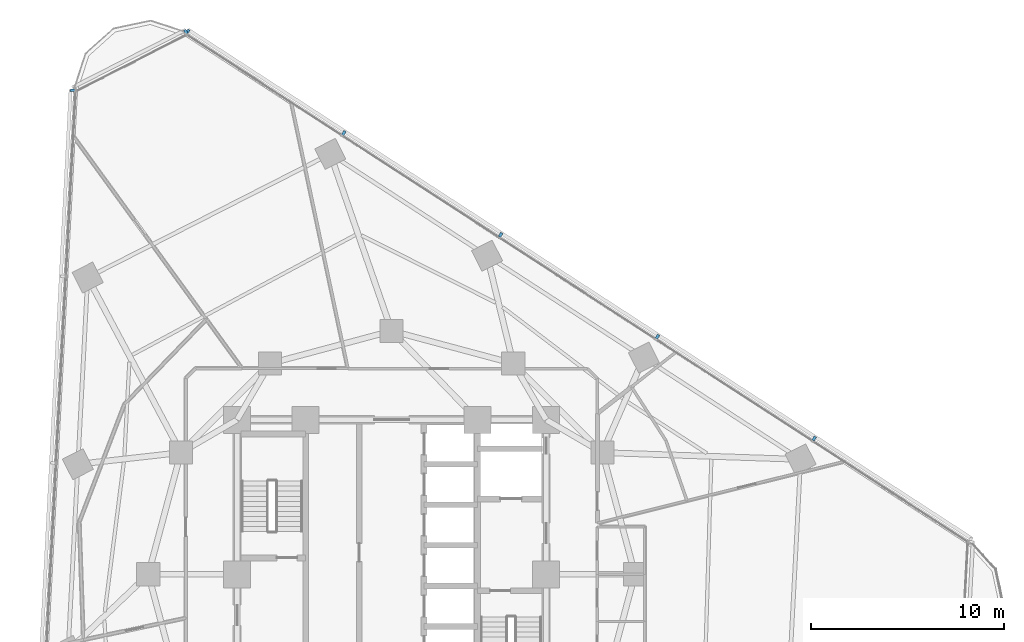
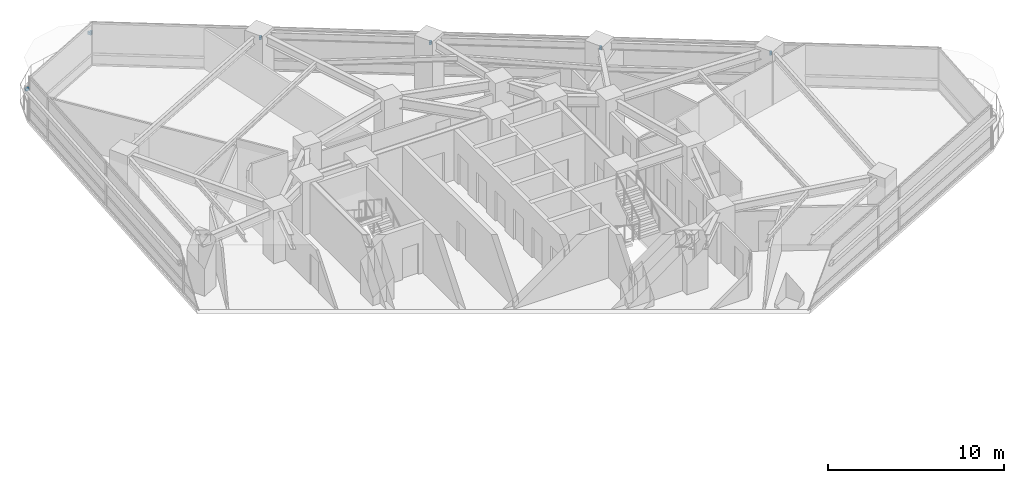
# One storey, part 11 of 14: 7 discrete accessories.
"""IFC4 building model written with IfcOpenShell, lengths in metres."""

import ifcopenshell
import ifcopenshell.guid

model = None  # the IFC model being written
_history = None  # IfcOwnerHistory: only IFC2X3 demands one
_inside = {}  # id of a spatial element -> (the spatial element, [elements in it])
_under = {}  # id of a project, library or spatial element -> (it, [spatial elements below it])
_declared = {}  # id of a project -> (the project, [libraries it declares])
_typed = {}  # id of a type object -> (the type object, [elements of that type])
_made_of = {}  # id of a material, layer set ... -> (it, [elements and type objects made of it])


def new_model(schema):
    """Start an empty IFC model of exactly this schema.

    Asked for "IFC4X3", IfcOpenShell would pick the latest addendum, in which some entities
    have other attributes; the version numbers below select the first issue.
    IFC2X3 requires an IfcOwnerHistory on every rooted entity: one is made here for all.
    """
    global model, _history
    if schema == "IFC4X3":
        model = ifcopenshell.file(schema_version=(4, 3, 0, 0))
    else:
        model = ifcopenshell.file(schema=schema)
    _inside.clear()
    _under.clear()
    _declared.clear()
    _typed.clear()
    _made_of.clear()
    _history = None
    if model.schema == "IFC2X3":
        org = make("IfcOrganization", Name="unknown")
        user = make(
            "IfcPersonAndOrganization",
            ThePerson=make("IfcPerson", FamilyName="unknown"),
            TheOrganization=org,
        )
        app = make(
            "IfcApplication",
            ApplicationDeveloper=org,
            Version="unknown",
            ApplicationFullName="unknown",
            ApplicationIdentifier="unknown",
        )
        _history = make(
            "IfcOwnerHistory",
            OwningUser=user,
            OwningApplication=app,
            ChangeAction="ADDED",
            CreationDate=0,
        )
    return model


def make(cls, **values):
    """One entity of the class cls with the attributes given. An attribute that is None is left unset."""
    return model.create_entity(
        cls, **{name: value for name, value in values.items() if value is not None}
    )


def rooted(cls, **values):
    """An entity with a GlobalId (a new one), such as an element, a storey or a relation."""
    return make(cls, GlobalId=ifcopenshell.guid.new(), OwnerHistory=_history, **values)


def si_unit(unit_type, name, prefix=None):
    """IfcSIUnit, for example si_unit("LENGTHUNIT", "METRE", prefix="MILLI")."""
    return make("IfcSIUnit", UnitType=unit_type, Prefix=prefix, Name=name)


def assignment(units):
    """IfcUnitAssignment: the units of a project."""
    return None if units is None else make("IfcUnitAssignment", Units=units)


def point(xyz):
    """IfcCartesianPoint."""
    return None if xyz is None else make("IfcCartesianPoint", Coordinates=xyz)


def direction(xyz):
    """IfcDirection."""
    return None if xyz is None else make("IfcDirection", DirectionRatios=xyz)


def frame(location, z_axis=None, x_axis=None):
    """IfcAxis2Placement3D, a coordinate frame: its origin and axes. An axis left out is left unset."""
    return make(
        "IfcAxis2Placement3D",
        Location=point(location),
        Axis=direction(z_axis),
        RefDirection=direction(x_axis),
    )


def frame_2d(location, x_axis=None):
    """IfcAxis2Placement2D, a coordinate frame in the plane: its origin and x axis."""
    return make(
        "IfcAxis2Placement2D", Location=point(location), RefDirection=direction(x_axis)
    )


def origin():
    """The frame at (0, 0, 0) with its axes left unset."""
    return frame((0.0, 0.0, 0.0))


def origin_2d():
    """The frame at (0, 0) in the plane with its x axis left unset."""
    return frame_2d((0.0, 0.0))


def place(relative_to, where):
    """IfcLocalPlacement: puts the frame where relative to a parent placement (None: the world)."""
    return make(
        "IfcLocalPlacement", PlacementRelTo=relative_to, RelativePlacement=where
    )


def context(
    kind, dimensions, precision=None, world=None, true_north=None, identifier=None
):
    """IfcGeometricRepresentationContext, for example the 3D "Model" context."""
    return make(
        "IfcGeometricRepresentationContext",
        ContextIdentifier=identifier,
        ContextType=kind,
        CoordinateSpaceDimension=dimensions,
        Precision=precision,
        WorldCoordinateSystem=world,
        TrueNorth=true_north,
    )


def subcontext(parent, identifier, kind, view, scale=None):
    """IfcGeometricRepresentationSubContext, for example "Body" below "Model"."""
    return make(
        "IfcGeometricRepresentationSubContext",
        ContextIdentifier=identifier,
        ContextType=kind,
        ParentContext=parent,
        TargetScale=scale,
        TargetView=view,
    )


def project(units=None, contexts=None):
    """IfcProject with its units and contexts."""
    return rooted(
        "IfcProject",
        Name="project",
        RepresentationContexts=contexts,
        UnitsInContext=assignment(units),
    )


def spatial(cls, under=None, at=None, **own):
    """A site, building, storey or space (cls), placed at a placement, below another one or the project."""
    s = rooted(cls, ObjectPlacement=at, **own)
    if under is not None:
        _under.setdefault(under.id(), (under, []))[1].append(s)
    return s


def profile(cls, at=None, kind="AREA", **sizes):
    """A parametric profile (cls). Its sizes go by their IFC names, for example OverallWidth=200.0."""
    return make(cls, ProfileType=kind, Position=at, **sizes)


def rectangle(**sizes):
    """IfcRectangleProfileDef."""
    return profile("IfcRectangleProfileDef", **sizes)


def extrude(swept, where, along, depth):
    """IfcExtrudedAreaSolid: the profile swept, set in the frame where, extruded along a direction by depth."""
    return make(
        "IfcExtrudedAreaSolid",
        SweptArea=swept,
        Position=where,
        ExtrudedDirection=direction(along),
        Depth=depth,
    )


def shape(context_of_items, identifier, shape_type, items):
    """IfcShapeRepresentation: the items that make up one representation, for example the "Body"."""
    return make(
        "IfcShapeRepresentation",
        ContextOfItems=context_of_items,
        RepresentationIdentifier=identifier,
        RepresentationType=shape_type,
        Items=items,
    )


def material(Name=None, Category=None):
    """IfcMaterial."""
    return make("IfcMaterial", Name=Name, Category=Category)


def made_of(thing, what):
    """Note that an element or type object is made of a material, layer set ...; save() writes the relation."""
    if what is not None:
        _made_of.setdefault(what.id(), (what, []))[1].append(thing)
    return thing


def type_object(cls, material=None, **own):
    """A type object (cls), such as IfcWallType, which elements share."""
    return made_of(rooted(cls, **own), material)


def element(
    cls,
    number,
    at=None,
    inside=None,
    cuts=None,
    type_object=None,
    material=None,
    context=None,
    identifier="Body",
    shape_type=None,
    held_by="IfcProductDefinitionShape",
    body=None,
    shapes=None,
    **own,
):
    """One element of the class cls, such as IfcWall. Its Tag is "e" and its number.

    at: its placement. inside: the storey or other place that contains it. cuts: it is an
    opening in that element (IfcRelVoidsElement). A single representation is given by context,
    identifier, shape_type and body (its items); several are given by shapes. held_by: the class
    of the entity that holds the representations. save() writes the other relations.
    """
    e = rooted(cls, Tag="e%d" % number, ObjectPlacement=at, **own)
    if body is not None:
        shapes = [shape(context, identifier, shape_type, body)]
    if shapes is not None:
        e.Representation = make(held_by, Representations=shapes)
    if inside is not None:
        _inside.setdefault(inside.id(), (inside, []))[1].append(e)
    if cuts is not None:
        rooted(
            "IfcRelVoidsElement", RelatingBuildingElement=cuts, RelatedOpeningElement=e
        )
    if type_object is not None:
        _typed.setdefault(type_object.id(), (type_object, []))[1].append(e)
    return made_of(e, material)


def aggregate(whole, parts):
    """IfcRelAggregates: a whole, such as a stair, and the parts it consists of."""
    return rooted("IfcRelAggregates", RelatingObject=whole, RelatedObjects=parts)


def save(model, path):
    """Write the relations noted so far, then the file.

    IfcRelAggregates (storeys below a building ...), IfcRelContainedInSpatialStructure (elements
    in a storey), IfcRelDefinesByType, IfcRelAssociatesMaterial and IfcRelDeclares: one each for
    every whole, place, type object, material and project.
    """
    for whole, parts in _under.values():
        aggregate(whole, parts)
    for where, things in _inside.values():
        rooted(
            "IfcRelContainedInSpatialStructure",
            RelatedElements=things,
            RelatingStructure=where,
        )
    for kind, things in _typed.values():
        rooted("IfcRelDefinesByType", RelatedObjects=things, RelatingType=kind)
    for what, things in _made_of.values():
        rooted("IfcRelAssociatesMaterial", RelatedObjects=things, RelatingMaterial=what)
    for by, libraries in _declared.values():
        rooted("IfcRelDeclares", RelatingContext=by, RelatedDefinitions=libraries)
    model.write(path)


model = new_model("IFC4")

# Units and contexts
model_context = context("Model", 3, precision=1e-05, world=origin(), true_north=direction((0.0, 1.0)))
body_context = subcontext(model_context, "Body", "Model", "MODEL_VIEW")
ifc_project = project(units=[si_unit("LENGTHUNIT", "METRE"), si_unit("AREAUNIT", "SQUARE_METRE"), si_unit("VOLUMEUNIT", "CUBIC_METRE"), si_unit("PLANEANGLEUNIT", "RADIAN"), si_unit("MASSUNIT", "GRAM", prefix="KILO")], contexts=[model_context])

# Site, building, storey
site_placement = place(None, origin())
site = spatial("IfcSite", under=ifc_project, at=site_placement, CompositionType="ELEMENT")
building_placement = place(site_placement, origin())
building = spatial("IfcBuilding", under=site, at=building_placement, Name="Terralouvre Media Tower", CompositionType="ELEMENT")
storey_placement = place(building_placement, frame((0.0, 0.0, 119.89990234375)))
storey = spatial("IfcBuildingStorey", under=building, at=storey_placement, Name="L30", CompositionType="ELEMENT", Elevation=119.89990234375)

# Discrete accessories
ifc_material = material(Name="Anodised extruded aluminium 6063-T6", Category="aluminium")
discrete_accessory_type = type_object("IfcDiscreteAccessoryType", Name="Mullion Stand-Off Baguette Fixing Bracket BK-01", PredefinedType="BRACKET", material=ifc_material)
for number, where, z_axis, x_axis, name in (
    (1, (21.87841796875, 7.030029296875, 2.07421875), (0.0, 0.0, 1.0), (-0.838670588944, 0.544639002681, 0.0), "CW-L30-F1 Baguette Outrigger Bracket 1.02"),
    (2, (13.76025390625, 12.30224609375, 2.07421875), (0.0, 0.0, 1.0), (-0.838670588944, 0.544639002681, 0.0), "CW-L30-F1 Baguette Outrigger Bracket 1.03"),
    (3, (5.641845703125, 17.574462890625, 2.07421875), (0.0, 0.0, 1.0), (-0.838670588944, 0.544639002681, 0.0), "CW-L30-F1 Baguette Outrigger Bracket 1.04"),
    (4, (-2.4765625, 22.846435546875, 2.07421875), (0.0, 0.0, 1.0), (-0.838670588944, 0.544639002681, 0.0), "CW-L30-F1 Baguette Outrigger Bracket 1.05"),
    (5, (-10.563232421875, 28.09814453125, 2.07421875), (0.0, 0.0, 1.0), (-0.838670588944, 0.544639002681, 0.0), "CW-L30-F1 Baguette Outrigger Bracket 1.06"),
    (6, (-16.52294921875, 25.0615234375, 2.07421875), (0.0, 0.0, 1.0), (-0.052335949864, -0.998629535089, 0.0), "CW-L30-F2 Baguette Outrigger Bracket 1.01"),
    (7, (-10.6591796875, 28.085693359375, 2.07421875), (0.0, 0.0, 1.0), (-0.891006600184, -0.45399035059, 0.0), "CW-L30-C2 Baguette Outrigger Bracket 1.01"),
):
    element("IfcDiscreteAccessory", number, at=place(storey_placement, frame(where, z_axis=z_axis, x_axis=x_axis)), inside=storey, type_object=discrete_accessory_type, Name=name, PredefinedType="BRACKET", context=body_context, shape_type="SweptSolid", body=[
        extrude(rectangle(XDim=0.139892578125, YDim=0.239990234375, at=origin_2d()), origin(), (0.0, 0.0, 1.0), 0.179931640625),
    ])

save(model, "model.ifc")
